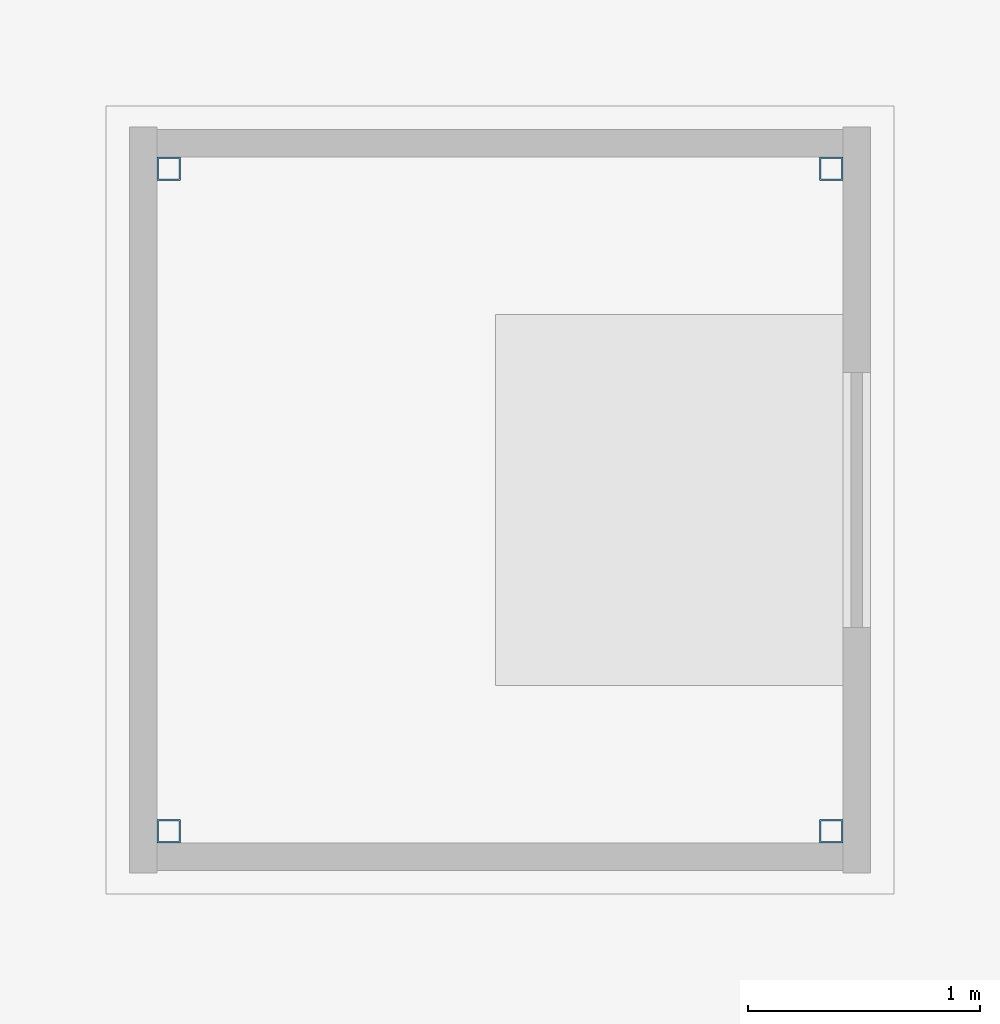
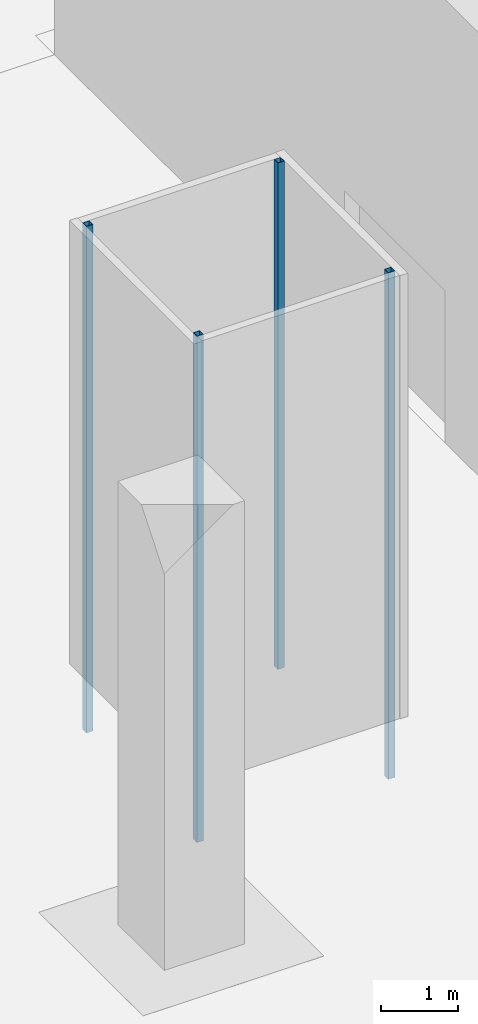
# One storey, part 17 of 92: 4 members.
"""IFC4 building model written with IfcOpenShell, lengths in metres."""

from ifc_helpers import new_model, si_unit, direction, frame, origin, origin_2d, place, context, subcontext, project, spatial, hollow_rectangle, extrude, material, material_profile, profile_set, type_object, element, save


model = new_model("IFC4")

# Units and contexts
model_context = context("Model", 3, precision=1e-05, world=origin(), true_north=direction((0.0, 1.0)))
body_context = subcontext(model_context, "Body", "Model", "MODEL_VIEW")
ifc_project = project(units=[si_unit("LENGTHUNIT", "METRE"), si_unit("AREAUNIT", "SQUARE_METRE"), si_unit("VOLUMEUNIT", "CUBIC_METRE"), si_unit("PLANEANGLEUNIT", "RADIAN"), si_unit("MASSUNIT", "GRAM", prefix="KILO")], contexts=[model_context])

# Site, building, storey
site_placement = place(None, origin())
site = spatial("IfcSite", under=ifc_project, at=site_placement, CompositionType="ELEMENT")
building_placement = place(site_placement, origin())
building = spatial("IfcBuilding", under=site, at=building_placement, Name="Silverbay Arena", CompositionType="ELEMENT")
storey_placement = place(building_placement, origin())
storey = spatial("IfcBuildingStorey", under=building, at=storey_placement, Name="L00", CompositionType="ELEMENT", Elevation=0.0)

# Members
ifc_material = material(Name="Steel S355", Category="steel")
ifc_material_profile = material_profile(ifc_material, hollow_rectangle(XDim=0.10009765625, YDim=0.10009765625, WallThickness=0.006103515625, at=origin_2d()), Name="RHS 100x100x6")
ifc_profile_set = profile_set([ifc_material_profile], Name="Steel S355")
member_type = type_object("IfcMemberType", Name="Glazing post RHS 100 x 100 x 6", PredefinedType="POST", material=ifc_profile_set)
for number, where, z_axis, x_axis, name in (
    (1, (19.969970703125, 128.969970703125, -1.0), (0.0, 0.0, 1.0), (1.0, 0.0, 0.0), "Glazing post LB-D2 1 L00"),
    (2, (22.830078125, 128.969970703125, -1.0), (0.0, 0.0, 1.0), (1.0, 0.0, 0.0), "Glazing post LB-D2 2 L00"),
    (3, (22.830078125, 131.830078125, -1.0), (0.0, 0.0, 1.0), (1.0, 0.0, 0.0), "Glazing post LB-D2 3 L00"),
    (4, (19.969970703125, 131.830078125, -1.0), (0.0, 0.0, 1.0), (1.0, 0.0, 0.0), "Glazing post LB-D2 4 L00"),
):
    element("IfcMember", number, at=place(storey_placement, frame(where, z_axis=z_axis, x_axis=x_axis)), inside=storey, type_object=member_type, Name=name, PredefinedType="POST", context=body_context, shape_type="SweptSolid", body=[
        extrude(hollow_rectangle(XDim=0.10009765625, YDim=0.10009765625, WallThickness=0.006103515625, at=origin_2d()), origin(), (0.0, 0.0, 1.0), 8.0),
    ])

save(model, "model.ifc")
